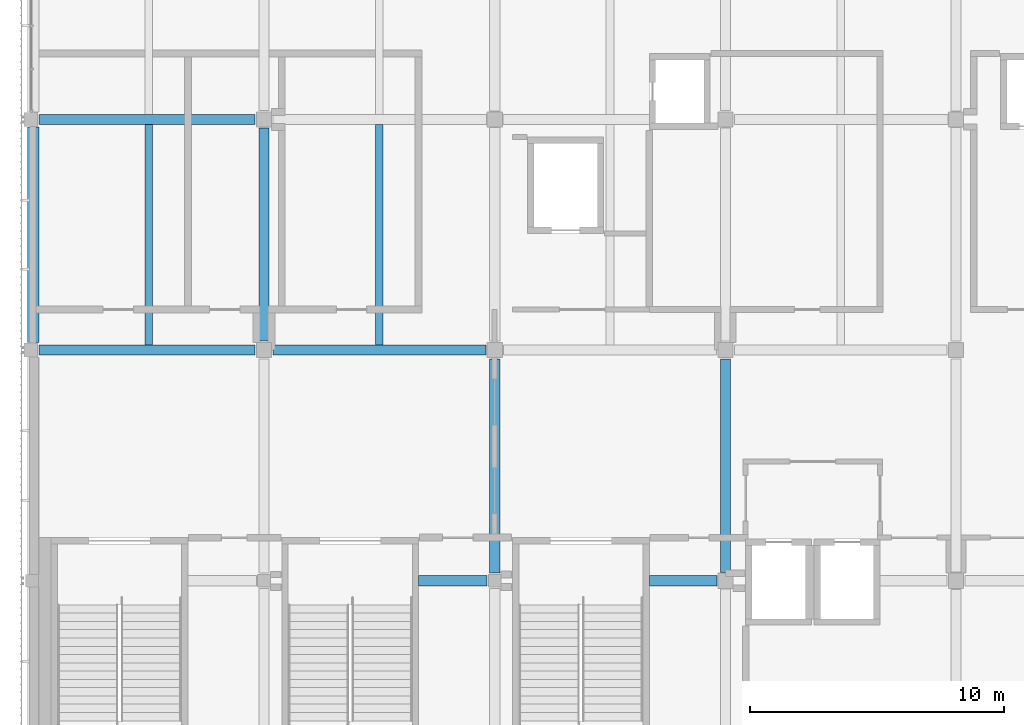
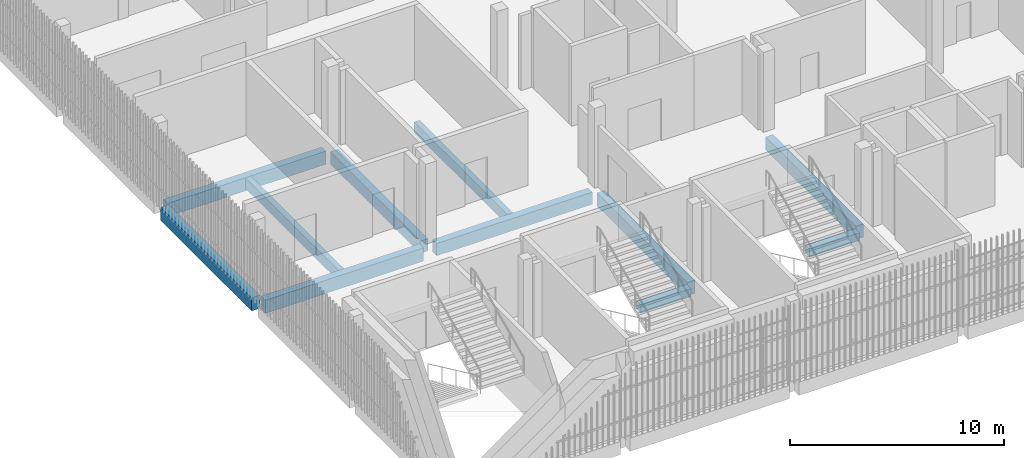
# One storey, part 6 of 124: 11 beams.
"""IFC4 building model written with IfcOpenShell, lengths in metres."""

from ifc_helpers import new_model, si_unit, direction, frame, origin, origin_2d, place, context, subcontext, project, spatial, rectangle, extrude, material, material_profile, profile_set, type_object, element, save


model = new_model("IFC4")

# Units and contexts
model_context = context("Model", 3, precision=1e-05, world=origin(), true_north=direction((0.0, 1.0)))
body_context = subcontext(model_context, "Body", "Model", "MODEL_VIEW")
ifc_project = project(units=[si_unit("LENGTHUNIT", "METRE"), si_unit("AREAUNIT", "SQUARE_METRE"), si_unit("VOLUMEUNIT", "CUBIC_METRE"), si_unit("PLANEANGLEUNIT", "RADIAN"), si_unit("MASSUNIT", "GRAM", prefix="KILO")], contexts=[model_context])

# Site, building, storey
site_placement = place(None, origin())
site = spatial("IfcSite", under=ifc_project, at=site_placement, CompositionType="ELEMENT")
building_placement = place(site_placement, origin())
building = spatial("IfcBuilding", under=site, at=building_placement, Name="Shirokan Park Arena", CompositionType="ELEMENT")
storey_placement = place(building_placement, frame((0.0, 0.0, 20.02001953125)))
storey = spatial("IfcBuildingStorey", under=building, at=storey_placement, Name="L04", CompositionType="ELEMENT", Elevation=20.02001953125)

# Beams
ifc_material = material(Name="Concrete C35", Category="concrete")
ifc_material_profile_1 = material_profile(ifc_material, rectangle(XDim=0.39990234375, YDim=0.699951171875, at=origin_2d()), Name="400x700")
ifc_profile_set_1 = profile_set([ifc_material_profile_1], Name="Concrete C35")
beam_type_1 = type_object("IfcBeamType", Name="RC girder 400x700", PredefinedType="BEAM", material=ifc_profile_set_1)
beam_1_placement = place(storey_placement, frame((9.4501953125, 18.199951171875, -0.60009765625), z_axis=(1.0, 0.0, 0.0), x_axis=(0.0, 1.0, 0.0)))
element("IfcBeam", 1, at=beam_1_placement, inside=storey, type_object=beam_type_1, Name="Girder 2C-3C L04", PredefinedType="BEAM", context=body_context, shape_type="SweptSolid", body=[
    extrude(rectangle(XDim=0.39990234375, YDim=0.699951171875, at=origin_2d()), origin(), (0.0, 0.0, 1.0), 8.399658203125),
])
beam_2_placement = place(storey_placement, frame((9.10009765625, 18.550048828125, -0.60009765625), z_axis=(0.0, 1.0, 0.0), x_axis=(-1.0, 0.0, 0.0)))
element("IfcBeam", 2, at=beam_2_placement, inside=storey, type_object=beam_type_1, Name="Girder 2C-2D L04", PredefinedType="BEAM", context=body_context, shape_type="SweptSolid", body=[
    extrude(rectangle(XDim=0.39990234375, YDim=0.699951171875, at=origin_2d()), origin(), (0.0, 0.0, 1.0), 8.39990234375),
])
ifc_material_profile_2 = material_profile(ifc_material, rectangle(XDim=0.39990234375, YDim=0.75, at=origin_2d()), Name="400x750")
ifc_profile_set_2 = profile_set([ifc_material_profile_2], Name="Concrete C35")
beam_type_2 = type_object("IfcBeamType", Name="RC girder 400x750", PredefinedType="BEAM", material=ifc_profile_set_2)
for number, where, z_axis, x_axis, name in (
    (3, (0.22509765625, 18.199951171875, -0.625), (1.0, 0.0, 0.0), (0.0, 1.0, 0.0), "Girder 1C-2C L04"),
    (4, (0.22509765625, 27.300048828125, -0.625), (1.0, 0.0, 0.0), (0.0, 1.0, 0.0), "Girder 1D-2D L04"),
):
    element("IfcBeam", number, at=place(storey_placement, frame(where, z_axis=z_axis, x_axis=x_axis)), inside=storey, type_object=beam_type_2, Name=name, PredefinedType="BEAM", context=body_context, shape_type="SweptSolid", body=[
        extrude(rectangle(XDim=0.39990234375, YDim=0.75, at=origin_2d()), origin(), (0.0, 0.0, 1.0), 8.52490234375),
    ])
beam_3_placement = place(storey_placement, frame((18.199951171875, 9.400146484375, -0.625), z_axis=(0.0, 1.0, 0.0), x_axis=(-1.0, 0.0, 0.0)))
element("IfcBeam", 5, at=beam_3_placement, inside=storey, type_object=beam_type_2, Name="Girder 3B-3C L04", PredefinedType="BEAM", context=body_context, shape_type="SweptSolid", body=[
    extrude(rectangle(XDim=0.39990234375, YDim=0.75, at=origin_2d()), origin(), (0.0, 0.0, 1.0), 8.44970703125),
])
beam_4_placement = place(storey_placement, frame((27.300048828125, 9.425048828125, -0.625), z_axis=(0.0, 1.0, 0.0), x_axis=(-1.0, 0.0, 0.0)))
element("IfcBeam", 6, at=beam_4_placement, inside=storey, type_object=beam_type_2, Name="Girder 4B-4C L04", PredefinedType="BEAM", context=body_context, shape_type="SweptSolid", body=[
    extrude(rectangle(XDim=0.39990234375, YDim=0.75, at=origin_2d()), origin(), (0.0, 0.0, 1.0), 8.4248046875),
])
ifc_material_profile_3 = material_profile(ifc_material, rectangle(XDim=0.449951171875, YDim=0.75, at=origin_2d()), Name="450x750")
ifc_profile_set_3 = profile_set([ifc_material_profile_3], Name="Concrete C35")
beam_type_3 = type_object("IfcBeamType", Name="RC girder 450x750", PredefinedType="BEAM", material=ifc_profile_set_3)
beam_5_placement = place(storey_placement, frame((0.0, 18.5, -0.625), z_axis=(0.0, 1.0, 0.0), x_axis=(-1.0, 0.0, 0.0)))
element("IfcBeam", 7, at=beam_5_placement, inside=storey, type_object=beam_type_3, Name="Girder 1C-1D L04", PredefinedType="BEAM", context=body_context, shape_type="SweptSolid", body=[
    extrude(rectangle(XDim=0.449951171875, YDim=0.75, at=origin_2d()), origin(), (0.0, 0.0, 1.0), 8.5),
])
ifc_material_profile_4 = material_profile(ifc_material, rectangle(XDim=0.300048828125, YDim=0.60009765625, at=origin_2d()), Name="300x600")
ifc_profile_set_4 = profile_set([ifc_material_profile_4], Name="Concrete C35")
beam_type_4 = type_object("IfcBeamType", Name="RC joist 300x600", PredefinedType="JOIST", material=ifc_profile_set_4)
for number, where, z_axis, x_axis, name in (
    (8, (4.550048828125, 18.39990234375, -0.550048828125), (0.0, 1.0, 0.0), (-1.0, 0.0, 0.0), "Joist 1C L04"),
    (9, (13.64990234375, 18.39990234375, -0.550048828125), (0.0, 1.0, 0.0), (-1.0, 0.0, 0.0), "Joist 2C L04"),
):
    element("IfcBeam", number, at=place(storey_placement, frame(where, z_axis=z_axis, x_axis=x_axis)), inside=storey, type_object=beam_type_4, Name=name, PredefinedType="JOIST", context=body_context, shape_type="SweptSolid", body=[
        extrude(rectangle(XDim=0.300048828125, YDim=0.60009765625, at=origin_2d()), origin(), (0.0, 0.0, 1.0), 8.7001953125),
    ])
ifc_material_profile_5 = material_profile(ifc_material, rectangle(XDim=0.39990234375, YDim=0.449951171875, at=origin_2d()), Name="400x450")
ifc_profile_set_5 = profile_set([ifc_material_profile_5], Name="Concrete C35")
beam_type_5 = type_object("IfcBeamType", Name="RC trimmer 400x450", PredefinedType="BEAM", material=ifc_profile_set_5)
beam_6_placement = place(storey_placement, frame((15.199951171875, 9.10009765625, -0.47509765625), z_axis=(1.0, 0.0, 0.0), x_axis=(0.0, 1.0, 0.0)))
element("IfcBeam", 10, at=beam_6_placement, inside=storey, type_object=beam_type_5, Name="Girder 2B-3B L04", PredefinedType="BEAM", context=body_context, shape_type="SweptSolid", body=[
    extrude(rectangle(XDim=0.39990234375, YDim=0.449951171875, at=origin_2d()), origin(), (0.0, 0.0, 1.0), 2.699951171875),
])
beam_7_placement = place(storey_placement, frame((24.300048828125, 9.10009765625, -0.47509765625), z_axis=(1.0, 0.0, 0.0), x_axis=(0.0, 1.0, 0.0)))
element("IfcBeam", 11, at=beam_7_placement, inside=storey, type_object=beam_type_5, Name="Girder 3B-4B L04", PredefinedType="BEAM", context=body_context, shape_type="SweptSolid", body=[
    extrude(rectangle(XDim=0.39990234375, YDim=0.449951171875, at=origin_2d()), origin(), (0.0, 0.0, 1.0), 2.6748046875),
])

save(model, "model.ifc")
